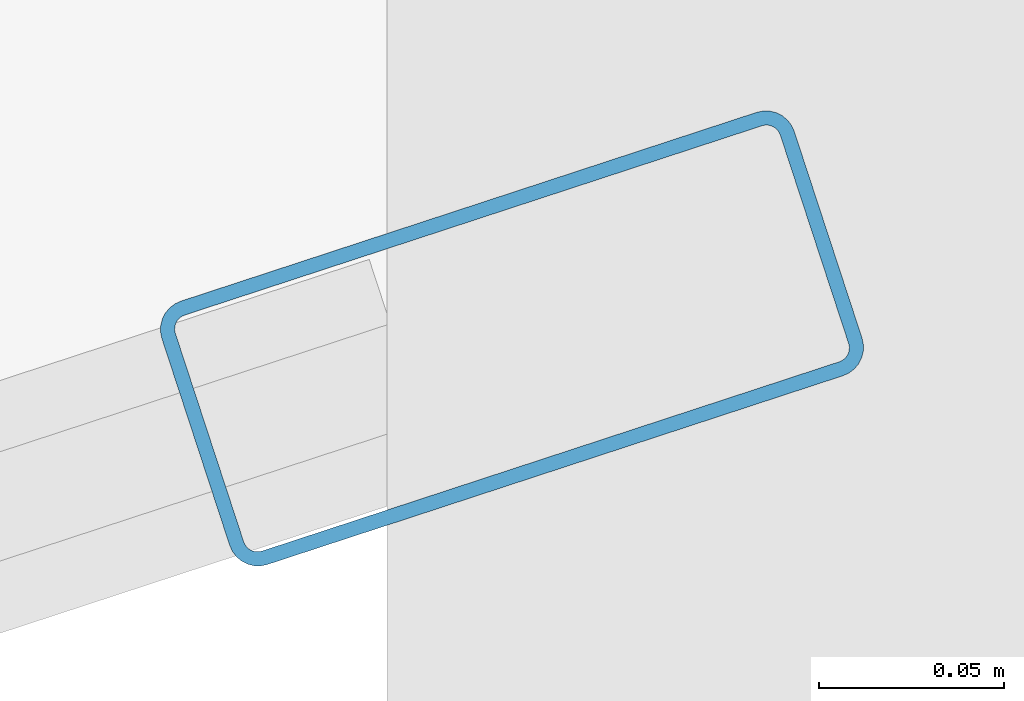
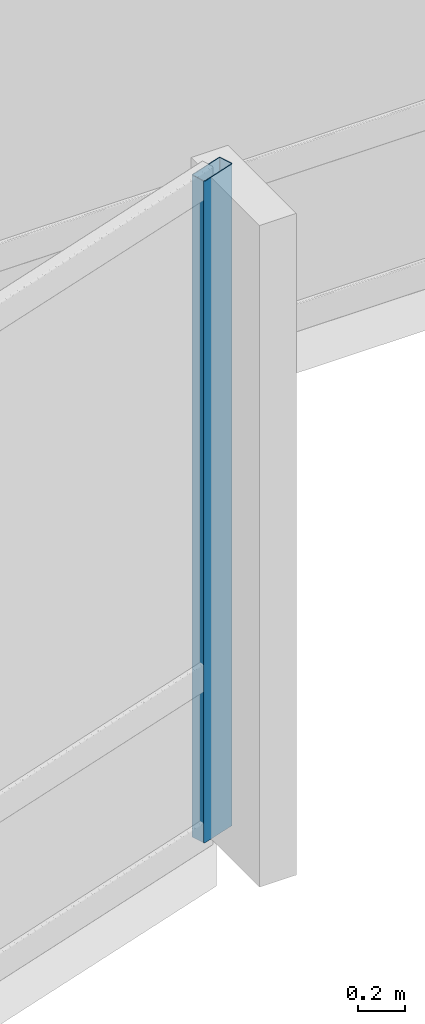
# One storey, part 10 of 34: 1 member, 1 element without a shape of its own.
"""IFC4 building model written with IfcOpenShell, lengths in metres."""

from ifc_helpers import new_model, si_unit, direction, frame, origin, origin_2d, place, context, subcontext, project, spatial, hollow_rectangle, extrude, material, layer, layer_set, material_profile, profile_set, type_object, element, aggregate, save


model = new_model("IFC4")

# Units and contexts
model_context = context("Model", 3, precision=1e-05, world=origin(), true_north=direction((0.0, 1.0)))
body_context = subcontext(model_context, "Body", "Model", "MODEL_VIEW")
ifc_project = project(units=[si_unit("LENGTHUNIT", "METRE"), si_unit("AREAUNIT", "SQUARE_METRE"), si_unit("VOLUMEUNIT", "CUBIC_METRE"), si_unit("PLANEANGLEUNIT", "RADIAN"), si_unit("MASSUNIT", "GRAM", prefix="KILO")], contexts=[model_context])

# Site, building, storey
site_placement = place(None, origin())
site = spatial("IfcSite", under=ifc_project, at=site_placement, CompositionType="ELEMENT")
building_placement = place(site_placement, origin())
building = spatial("IfcBuilding", under=site, at=building_placement, Name="Solvaryn Broadcast Tower", CompositionType="ELEMENT")
storey_placement = place(building_placement, frame((0.0, 0.0, 36.0)))
storey = spatial("IfcBuildingStorey", under=building, at=storey_placement, Name="L07", CompositionType="ELEMENT", Elevation=36.0)

# Curtain wall, member
ifc_material_1 = material(Name="Aluminium and Terracotta Unitised Curtain Wall", Category="masonry")
ifc_layer = layer(ifc_material_1, 0.199951171875)
ifc_layer_set = layer_set([ifc_layer], Name="CW-SYS2-LOWMID")
curtain_wall_type = type_object("IfcCurtainWallType", Name="CW-SYS2-LOWMID", PredefinedType="NOTDEFINED", material=ifc_layer_set)
curtain_wall_placement = place(storey_placement, origin())
curtain_wall = element("IfcCurtainWall", 1, at=curtain_wall_placement, inside=storey, type_object=curtain_wall_type, Name="L07 Curtain Wall DR4", PredefinedType="NOTDEFINED")
ifc_material_2 = material(Name="Anodised Aluminium 6063-T6", Category="aluminium")
ifc_material_profile = material_profile(ifc_material_2, hollow_rectangle(XDim=0.074951171875, YDim=0.179931640625, WallThickness=0.00390625, InnerFilletRadius=0.00390625, OuterFilletRadius=0.008056640625, at=origin_2d()))
ifc_profile_set = profile_set([ifc_material_profile], Name="Anodised Aluminium 6063-T6")
member_type = type_object("IfcMemberType", Name="CW-MUL-180", PredefinedType="MULLION", material=ifc_profile_set)
member_placement = place(storey_placement, frame((45.987548828125, 5.90673828125, 0.0), z_axis=(0.0, 0.0, 1.0), x_axis=(-0.311594044587, 0.950215318429, 0.0)))
member = element("IfcMember", 2, at=member_placement, type_object=member_type, Name="CWS2 mullion 2", PredefinedType="MULLION", context=body_context, shape_type="SweptSolid", body=[
    extrude(hollow_rectangle(XDim=0.074951171875, YDim=0.179931640625, WallThickness=0.00390625, InnerFilletRadius=0.00390625, OuterFilletRadius=0.008056640625, at=origin_2d()), origin(), (0.0, 0.0, 1.0), 3.419921875),
])
aggregate(curtain_wall, [member])

save(model, "model.ifc")
